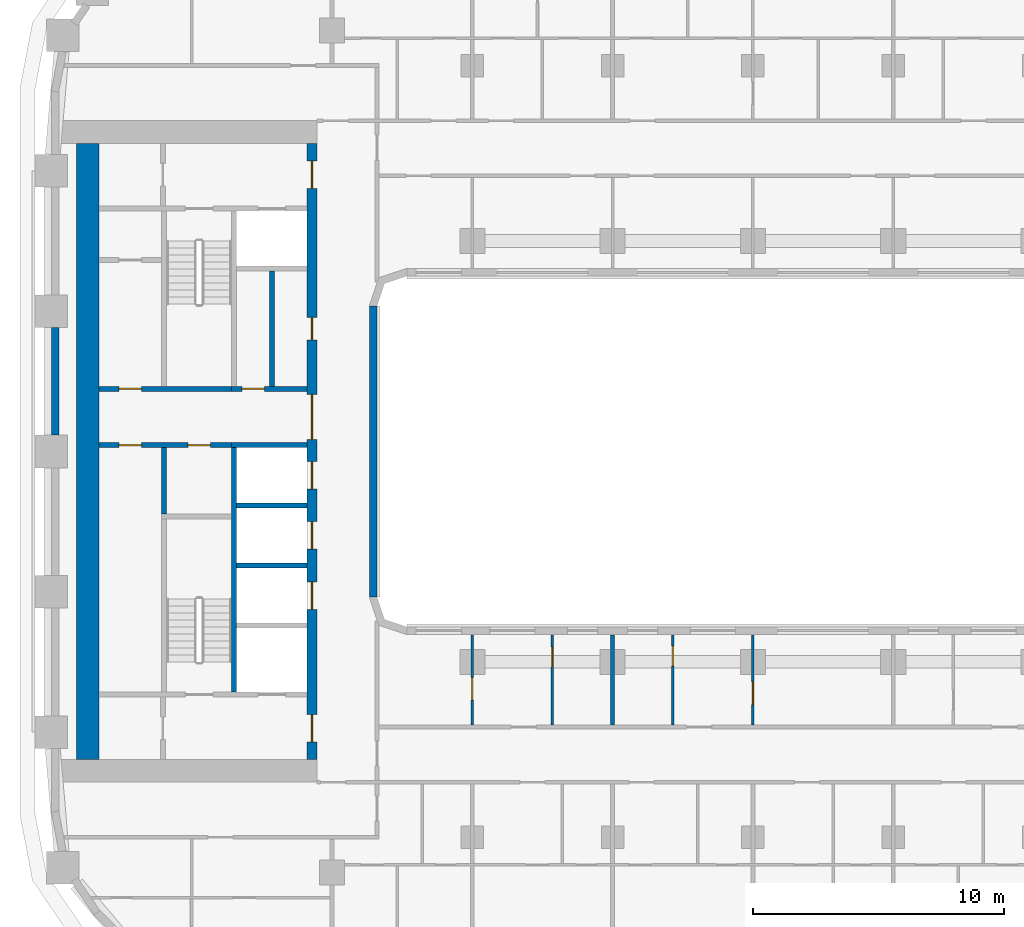
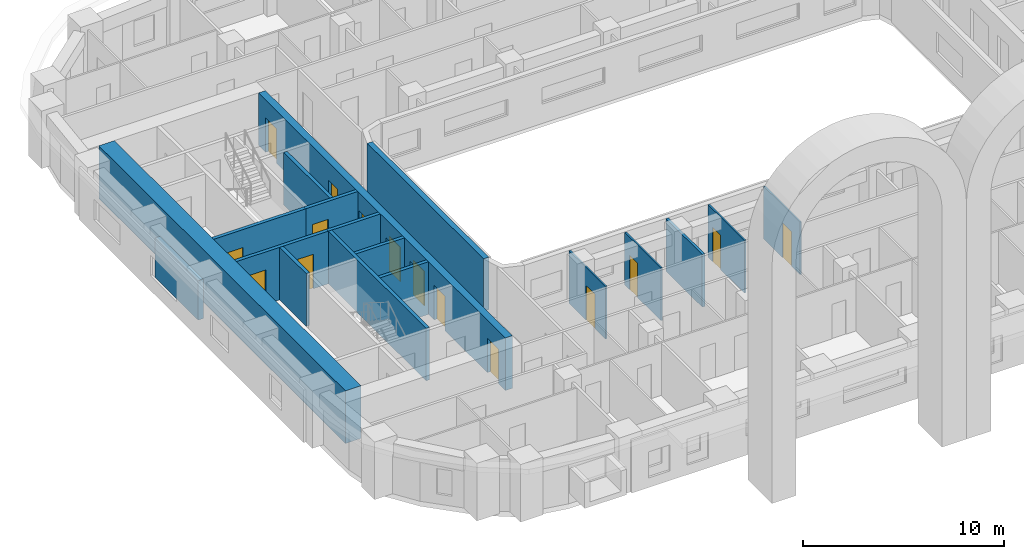
# One storey, part 4 of 19: 18 walls, 15 doors, 15 openings.
"""IFC4 building model written with IfcOpenShell, lengths in metres."""

import ifcopenshell
import ifcopenshell.guid

model = None  # the IFC model being written
_history = None  # IfcOwnerHistory: only IFC2X3 demands one
_inside = {}  # id of a spatial element -> (the spatial element, [elements in it])
_under = {}  # id of a project, library or spatial element -> (it, [spatial elements below it])
_declared = {}  # id of a project -> (the project, [libraries it declares])
_typed = {}  # id of a type object -> (the type object, [elements of that type])
_made_of = {}  # id of a material, layer set ... -> (it, [elements and type objects made of it])


def new_model(schema):
    """Start an empty IFC model of exactly this schema.

    Asked for "IFC4X3", IfcOpenShell would pick the latest addendum, in which some entities
    have other attributes; the version numbers below select the first issue.
    IFC2X3 requires an IfcOwnerHistory on every rooted entity: one is made here for all.
    """
    global model, _history
    if schema == "IFC4X3":
        model = ifcopenshell.file(schema_version=(4, 3, 0, 0))
    else:
        model = ifcopenshell.file(schema=schema)
    _inside.clear()
    _under.clear()
    _declared.clear()
    _typed.clear()
    _made_of.clear()
    _history = None
    if model.schema == "IFC2X3":
        org = make("IfcOrganization", Name="unknown")
        user = make(
            "IfcPersonAndOrganization",
            ThePerson=make("IfcPerson", FamilyName="unknown"),
            TheOrganization=org,
        )
        app = make(
            "IfcApplication",
            ApplicationDeveloper=org,
            Version="unknown",
            ApplicationFullName="unknown",
            ApplicationIdentifier="unknown",
        )
        _history = make(
            "IfcOwnerHistory",
            OwningUser=user,
            OwningApplication=app,
            ChangeAction="ADDED",
            CreationDate=0,
        )
    return model


def make(cls, **values):
    """One entity of the class cls with the attributes given. An attribute that is None is left unset."""
    return model.create_entity(
        cls, **{name: value for name, value in values.items() if value is not None}
    )


def rooted(cls, **values):
    """An entity with a GlobalId (a new one), such as an element, a storey or a relation."""
    return make(cls, GlobalId=ifcopenshell.guid.new(), OwnerHistory=_history, **values)


def si_unit(unit_type, name, prefix=None):
    """IfcSIUnit, for example si_unit("LENGTHUNIT", "METRE", prefix="MILLI")."""
    return make("IfcSIUnit", UnitType=unit_type, Prefix=prefix, Name=name)


def assignment(units):
    """IfcUnitAssignment: the units of a project."""
    return None if units is None else make("IfcUnitAssignment", Units=units)


def point(xyz):
    """IfcCartesianPoint."""
    return None if xyz is None else make("IfcCartesianPoint", Coordinates=xyz)


def direction(xyz):
    """IfcDirection."""
    return None if xyz is None else make("IfcDirection", DirectionRatios=xyz)


def frame(location, z_axis=None, x_axis=None):
    """IfcAxis2Placement3D, a coordinate frame: its origin and axes. An axis left out is left unset."""
    return make(
        "IfcAxis2Placement3D",
        Location=point(location),
        Axis=direction(z_axis),
        RefDirection=direction(x_axis),
    )


def frame_2d(location, x_axis=None):
    """IfcAxis2Placement2D, a coordinate frame in the plane: its origin and x axis."""
    return make(
        "IfcAxis2Placement2D", Location=point(location), RefDirection=direction(x_axis)
    )


def origin():
    """The frame at (0, 0, 0) with its axes left unset."""
    return frame((0.0, 0.0, 0.0))


def place(relative_to, where):
    """IfcLocalPlacement: puts the frame where relative to a parent placement (None: the world)."""
    return make(
        "IfcLocalPlacement", PlacementRelTo=relative_to, RelativePlacement=where
    )


def context(
    kind, dimensions, precision=None, world=None, true_north=None, identifier=None
):
    """IfcGeometricRepresentationContext, for example the 3D "Model" context."""
    return make(
        "IfcGeometricRepresentationContext",
        ContextIdentifier=identifier,
        ContextType=kind,
        CoordinateSpaceDimension=dimensions,
        Precision=precision,
        WorldCoordinateSystem=world,
        TrueNorth=true_north,
    )


def subcontext(parent, identifier, kind, view, scale=None):
    """IfcGeometricRepresentationSubContext, for example "Body" below "Model"."""
    return make(
        "IfcGeometricRepresentationSubContext",
        ContextIdentifier=identifier,
        ContextType=kind,
        ParentContext=parent,
        TargetScale=scale,
        TargetView=view,
    )


def project(units=None, contexts=None):
    """IfcProject with its units and contexts."""
    return rooted(
        "IfcProject",
        Name="project",
        RepresentationContexts=contexts,
        UnitsInContext=assignment(units),
    )


def spatial(cls, under=None, at=None, **own):
    """A site, building, storey or space (cls), placed at a placement, below another one or the project."""
    s = rooted(cls, ObjectPlacement=at, **own)
    if under is not None:
        _under.setdefault(under.id(), (under, []))[1].append(s)
    return s


def profile(cls, at=None, kind="AREA", **sizes):
    """A parametric profile (cls). Its sizes go by their IFC names, for example OverallWidth=200.0."""
    return make(cls, ProfileType=kind, Position=at, **sizes)


def rectangle(**sizes):
    """IfcRectangleProfileDef."""
    return profile("IfcRectangleProfileDef", **sizes)


def extrude(swept, where, along, depth):
    """IfcExtrudedAreaSolid: the profile swept, set in the frame where, extruded along a direction by depth."""
    return make(
        "IfcExtrudedAreaSolid",
        SweptArea=swept,
        Position=where,
        ExtrudedDirection=direction(along),
        Depth=depth,
    )


def shape(context_of_items, identifier, shape_type, items):
    """IfcShapeRepresentation: the items that make up one representation, for example the "Body"."""
    return make(
        "IfcShapeRepresentation",
        ContextOfItems=context_of_items,
        RepresentationIdentifier=identifier,
        RepresentationType=shape_type,
        Items=items,
    )


def material(Name=None, Category=None):
    """IfcMaterial."""
    return make("IfcMaterial", Name=Name, Category=Category)


def layer(
    of_material, thickness, ventilated=None, Name=None, Category=None, Priority=None
):
    """IfcMaterialLayer: one layer of a wall or slab, of a material (None: an air gap)."""
    return make(
        "IfcMaterialLayer",
        Material=of_material,
        LayerThickness=thickness,
        IsVentilated=ventilated,
        Name=Name,
        Category=Category,
        Priority=Priority,
    )


def layer_set(layers, Name=None):
    """IfcMaterialLayerSet."""
    return make("IfcMaterialLayerSet", MaterialLayers=layers, LayerSetName=Name)


def made_of(thing, what):
    """Note that an element or type object is made of a material, layer set ...; save() writes the relation."""
    if what is not None:
        _made_of.setdefault(what.id(), (what, []))[1].append(thing)
    return thing


def type_object(cls, material=None, **own):
    """A type object (cls), such as IfcWallType, which elements share."""
    return made_of(rooted(cls, **own), material)


def element(
    cls,
    number,
    at=None,
    inside=None,
    cuts=None,
    type_object=None,
    material=None,
    context=None,
    identifier="Body",
    shape_type=None,
    held_by="IfcProductDefinitionShape",
    body=None,
    shapes=None,
    **own,
):
    """One element of the class cls, such as IfcWall. Its Tag is "e" and its number.

    at: its placement. inside: the storey or other place that contains it. cuts: it is an
    opening in that element (IfcRelVoidsElement). A single representation is given by context,
    identifier, shape_type and body (its items); several are given by shapes. held_by: the class
    of the entity that holds the representations. save() writes the other relations.
    """
    e = rooted(cls, Tag="e%d" % number, ObjectPlacement=at, **own)
    if body is not None:
        shapes = [shape(context, identifier, shape_type, body)]
    if shapes is not None:
        e.Representation = make(held_by, Representations=shapes)
    if inside is not None:
        _inside.setdefault(inside.id(), (inside, []))[1].append(e)
    if cuts is not None:
        rooted(
            "IfcRelVoidsElement", RelatingBuildingElement=cuts, RelatedOpeningElement=e
        )
    if type_object is not None:
        _typed.setdefault(type_object.id(), (type_object, []))[1].append(e)
    return made_of(e, material)


def fill(opening, filler):
    """IfcRelFillsElement: the door or window that sits in an opening."""
    return rooted(
        "IfcRelFillsElement",
        RelatingOpeningElement=opening,
        RelatedBuildingElement=filler,
    )


def aggregate(whole, parts):
    """IfcRelAggregates: a whole, such as a stair, and the parts it consists of."""
    return rooted("IfcRelAggregates", RelatingObject=whole, RelatedObjects=parts)


def save(model, path):
    """Write the relations noted so far, then the file.

    IfcRelAggregates (storeys below a building ...), IfcRelContainedInSpatialStructure (elements
    in a storey), IfcRelDefinesByType, IfcRelAssociatesMaterial and IfcRelDeclares: one each for
    every whole, place, type object, material and project.
    """
    for whole, parts in _under.values():
        aggregate(whole, parts)
    for where, things in _inside.values():
        rooted(
            "IfcRelContainedInSpatialStructure",
            RelatedElements=things,
            RelatingStructure=where,
        )
    for kind, things in _typed.values():
        rooted("IfcRelDefinesByType", RelatedObjects=things, RelatingType=kind)
    for what, things in _made_of.values():
        rooted("IfcRelAssociatesMaterial", RelatedObjects=things, RelatingMaterial=what)
    for by, libraries in _declared.values():
        rooted("IfcRelDeclares", RelatingContext=by, RelatedDefinitions=libraries)
    model.write(path)


model = new_model("IFC4")

# Units and contexts
model_context = context("Model", 3, precision=1e-05, world=origin(), true_north=direction((0.0, 1.0)))
body_context = subcontext(model_context, "Body", "Model", "MODEL_VIEW")
ifc_project = project(units=[si_unit("LENGTHUNIT", "METRE"), si_unit("AREAUNIT", "SQUARE_METRE"), si_unit("VOLUMEUNIT", "CUBIC_METRE"), si_unit("PLANEANGLEUNIT", "RADIAN"), si_unit("MASSUNIT", "GRAM", prefix="KILO")], contexts=[model_context])

# Site, building, storey
site_placement = place(None, origin())
site = spatial("IfcSite", under=ifc_project, at=site_placement, CompositionType="ELEMENT")
building_placement = place(site_placement, origin())
building = spatial("IfcBuilding", under=site, at=building_placement, Name="Kiln Ring Residences", CompositionType="ELEMENT")
storey_placement = place(building_placement, frame((0.0, 0.0, 104.300048828125)))
storey = spatial("IfcBuildingStorey", under=building, at=storey_placement, Name="L26", CompositionType="ELEMENT", Elevation=104.300048828125)

# Wall
ifc_material_1 = material(Name="Gypsum board on steel studs", Category="steel")
ifc_layer_1 = layer(ifc_material_1, 0.199951171875)
ifc_layer_set_1 = layer_set([ifc_layer_1], Name="CORE-PARTITION-200")
wall_type_1 = type_object("IfcWallType", Name="CORE-PARTITION-200", PredefinedType="PARTITIONING", material=ifc_layer_set_1)
wall_1_placement = place(storey_placement, frame((-23.5, -2.5, 0.0), z_axis=(0.0, 0.0, 1.0), x_axis=(0.0, 1.0, 0.0)))
element("IfcWall", 1, at=wall_1_placement, inside=storey, type_object=wall_type_1, Name="Core partition west L26 1", PredefinedType="PARTITIONING", context=body_context, shape_type="SweptSolid", body=[
    extrude(rectangle(XDim=2.64990234375, YDim=0.199951171875, at=frame_2d((1.324951171875, 0.0))), origin(), (0.0, 0.0, 1.0), 3.199951171875),
])

# Wall, openings, doors
wall_2_placement = place(storey_placement, frame((-20.800048828125, 0.25, 0.0), z_axis=(0.0, 0.0, 1.0), x_axis=(-1.0, 0.0, 0.0)))
wall_2 = element("IfcWall", 2, at=wall_2_placement, inside=storey, type_object=wall_type_1, Name="Core partition west L26 2", PredefinedType="PARTITIONING", context=body_context, shape_type="SweptSolid", body=[
    extrude(rectangle(XDim=5.300048828125, YDim=0.199951171875, at=frame_2d((2.64990234375, 0.0))), origin(), (0.0, 0.0, 1.0), 3.199951171875),
])
opening_1_placement = place(wall_2_placement, frame((0.85009765625, 0.0, 0.0)))
opening_1 = element("IfcOpeningElement", 3, at=opening_1_placement, cuts=wall_2, Name="Opening L26-CW15", PredefinedType="OPENING", context=body_context, shape_type="SweptSolid", body=[
    extrude(rectangle(XDim=0.89990234375, YDim=2.10009765625, at=frame_2d((0.449951171875, 1.050048828125))), frame((0.0, 0.10986328125, 0.0), z_axis=(0.0, -1.0, 0.0), x_axis=(1.0, 0.0, 0.0)), (0.0, 0.0, 1.0), 0.219970703125),
])
opening_2_placement = place(wall_2_placement, frame((3.60009765625, 0.0, 0.0)))
opening_2 = element("IfcOpeningElement", 4, at=opening_2_placement, cuts=wall_2, Name="Opening L26-CW16", PredefinedType="OPENING", context=body_context, shape_type="SweptSolid", body=[
    extrude(rectangle(XDim=0.89990234375, YDim=2.10009765625, at=frame_2d((0.449951171875, 1.050048828125))), frame((0.0, 0.10986328125, 0.0), z_axis=(0.0, -1.0, 0.0), x_axis=(1.0, 0.0, 0.0)), (0.0, 0.0, 1.0), 0.219970703125),
])
ifc_material_2 = material(Name="Steel door leaf", Category="steel")
door_type_1 = type_object("IfcDoorType", Name="CORE-DOOR-ROOM", OperationType="SINGLE_SWING_LEFT", PredefinedType="DOOR", material=ifc_material_2)
door_1_placement = place(opening_1_placement, origin())
door_1 = element("IfcDoor", 5, at=door_1_placement, inside=storey, type_object=door_type_1, Name="Refuse and recycling room L26-CW15", OperationType="SINGLE_SWING_LEFT", OverallHeight=2.10009765625, OverallWidth=0.89990234375, PredefinedType="DOOR", context=body_context, shape_type="SweptSolid", body=[
    extrude(rectangle(XDim=0.89990234375, YDim=2.10009765625, at=frame_2d((0.449951171875, 1.050048828125))), frame((0.0, 0.02490234375, 0.0), z_axis=(0.0, -1.0, 0.0), x_axis=(1.0, 0.0, 0.0)), (0.0, 0.0, 1.0), 0.050048828125),
])
fill(opening_1, door_1)
door_2_placement = place(opening_2_placement, origin())
door_2 = element("IfcDoor", 6, at=door_2_placement, inside=storey, type_object=door_type_1, Name="Water tank room L26-CW16", OperationType="SINGLE_SWING_RIGHT", OverallHeight=2.10009765625, OverallWidth=0.89990234375, PredefinedType="DOOR", context=body_context, shape_type="SweptSolid", body=[
    extrude(rectangle(XDim=0.89990234375, YDim=2.10009765625, at=frame_2d((0.449951171875, 1.050048828125))), frame((0.0, 0.02490234375, 0.0), z_axis=(0.0, -1.0, 0.0), x_axis=(1.0, 0.0, 0.0)), (0.0, 0.0, 1.0), 0.050048828125),
])
fill(opening_2, door_2)

# Walls
wall_3_placement = place(storey_placement, frame((-19.199951171875, 2.60009765625, 0.0), z_axis=(0.0, 0.0, 1.0), x_axis=(0.0, 1.0, 0.0)))
element("IfcWall", 7, at=wall_3_placement, inside=storey, type_object=wall_type_1, Name="Core partition west L26 3", PredefinedType="PARTITIONING", context=body_context, shape_type="SweptSolid", body=[
    extrude(rectangle(XDim=4.599853515625, YDim=0.199951171875, at=frame_2d((2.2998046875, 0.0))), origin(), (0.0, 0.0, 1.0), 3.199951171875),
])
ifc_material_3 = material(Name="Gypsum shaft wall system")
ifc_layer_2 = layer(ifc_material_3, 0.199951171875)
ifc_layer_set_2 = layer_set([ifc_layer_2], Name="CORE-SHAFT-WALL-200")
wall_type_2 = type_object("IfcWallType", Name="CORE-SHAFT-WALL-200", PredefinedType="PARTITIONING", material=ifc_layer_set_2)
for number, where, z_axis, x_axis, name in (
    (8, (-17.800048828125, -4.550048828125, 0.0), (0.0, 0.0, 1.0), (-1.0, 0.0, 0.0), "Core partition west L26 8"),
    (9, (-17.800048828125, -2.14990234375, 0.0), (0.0, 0.0, 1.0), (-1.0, 0.0, 0.0), "Core partition west L26 9"),
):
    element("IfcWall", number, at=place(storey_placement, frame(where, z_axis=z_axis, x_axis=x_axis)), inside=storey, type_object=wall_type_2, Name=name, PredefinedType="PARTITIONING", context=body_context, shape_type="SweptSolid", body=[
        extrude(rectangle(XDim=2.800048828125, YDim=0.199951171875, at=frame_2d((1.39990234375, 0.0))), origin(), (0.0, 0.0, 1.0), 3.199951171875),
    ])
wall_4_placement = place(storey_placement, frame((-17.800048828125, 0.25, 0.0), z_axis=(0.0, 0.0, 1.0), x_axis=(-1.0, 0.0, 0.0)))
element("IfcWall", 10, at=wall_4_placement, inside=storey, type_object=wall_type_2, Name="Core partition west L26 10", PredefinedType="PARTITIONING", context=body_context, shape_type="SweptSolid", body=[
    extrude(rectangle(XDim=3.0, YDim=0.199951171875, at=frame_2d((1.5, 0.0))), origin(), (0.0, 0.0, 1.0), 3.199951171875),
])

# Wall, opening, door
wall_5_placement = place(storey_placement, frame((-17.800048828125, 2.5, 0.0), z_axis=(0.0, 0.0, 1.0), x_axis=(-1.0, 0.0, 0.0)))
wall_5 = element("IfcWall", 11, at=wall_5_placement, inside=storey, type_object=wall_type_2, Name="Core partition west L26 11", PredefinedType="PARTITIONING", context=body_context, shape_type="SweptSolid", body=[
    extrude(rectangle(XDim=3.0, YDim=0.199951171875, at=frame_2d((1.5, 0.0))), origin(), (0.0, 0.0, 1.0), 3.199951171875),
])
opening_3_placement = place(wall_5_placement, frame((1.699951171875, 0.0, 0.0)))
opening_3 = element("IfcOpeningElement", 12, at=opening_3_placement, cuts=wall_5, Name="Opening L26-CW06", PredefinedType="OPENING", context=body_context, shape_type="SweptSolid", body=[
    extrude(rectangle(XDim=0.89990234375, YDim=2.10009765625, at=frame_2d((0.449951171875, 1.050048828125))), frame((0.0, 0.10986328125, 0.0), z_axis=(0.0, -1.0, 0.0), x_axis=(1.0, 0.0, 0.0)), (0.0, 0.0, 1.0), 0.219970703125),
])
door_3_placement = place(opening_3_placement, origin())
door_3 = element("IfcDoor", 13, at=door_3_placement, inside=storey, type_object=door_type_1, Name="Service store L26-CW06", OperationType="SINGLE_SWING_LEFT", OverallHeight=2.10009765625, OverallWidth=0.89990234375, PredefinedType="DOOR", context=body_context, shape_type="SweptSolid", body=[
    extrude(rectangle(XDim=0.89990234375, YDim=2.10009765625, at=frame_2d((0.449951171875, 1.050048828125))), frame((0.0, 0.02490234375, 0.0), z_axis=(0.0, -1.0, 0.0), x_axis=(1.0, 0.0, 0.0)), (0.0, 0.0, 1.0), 0.050048828125),
])
fill(opening_3, door_3)

# Wall
ifc_material_4 = material(Name="Concrete C40/50", Category="concrete")
ifc_layer_3 = layer(ifc_material_4, 0.199951171875)
ifc_layer_set_3 = layer_set([ifc_layer_3], Name="CORE-WALL-RC200")
wall_type_3 = type_object("IfcWallType", Name="CORE-WALL-RC200", PredefinedType="SHEAR", material=ifc_layer_set_3)
wall_6_placement = place(storey_placement, frame((-20.699951171875, -9.60009765625, 0.0), z_axis=(0.0, 0.0, 1.0), x_axis=(0.0, 1.0, 0.0)))
element("IfcWall", 14, at=wall_6_placement, inside=storey, type_object=wall_type_3, Name="Core wall west L26 2", PredefinedType="SHEAR", context=body_context, shape_type="SweptSolid", body=[
    extrude(rectangle(XDim=9.75, YDim=0.199951171875, at=frame_2d((4.875, 0.0))), origin(), (0.0, 0.0, 1.0), 3.199951171875),
])

# Wall, opening, door
wall_7_placement = place(storey_placement, frame((-20.800048828125, 2.5, 0.0), z_axis=(0.0, 0.0, 1.0), x_axis=(-1.0, 0.0, 0.0)))
wall_7 = element("IfcWall", 15, at=wall_7_placement, inside=storey, type_object=wall_type_3, Name="Core wall west L26 3", PredefinedType="SHEAR", context=body_context, shape_type="SweptSolid", body=[
    extrude(rectangle(XDim=5.300048828125, YDim=0.199951171875, at=frame_2d((2.64990234375, 0.0))), origin(), (0.0, 0.0, 1.0), 3.199951171875),
])
opening_4_placement = place(wall_7_placement, frame((3.60009765625, 0.0, 0.0)))
opening_4 = element("IfcOpeningElement", 16, at=opening_4_placement, cuts=wall_7, Name="Opening L26-CW18", PredefinedType="OPENING", context=body_context, shape_type="SweptSolid", body=[
    extrude(rectangle(XDim=0.89990234375, YDim=2.10009765625, at=frame_2d((0.449951171875, 1.050048828125))), frame((0.0, 0.10986328125, 0.0), z_axis=(0.0, -1.0, 0.0), x_axis=(1.0, 0.0, 0.0)), (0.0, 0.0, 1.0), 0.219970703125),
])
door_4_placement = place(opening_4_placement, origin())
door_4 = element("IfcDoor", 17, at=door_4_placement, inside=storey, type_object=door_type_1, Name="Electrical plant room L26-CW18", OperationType="SINGLE_SWING_LEFT", OverallHeight=2.10009765625, OverallWidth=0.89990234375, PredefinedType="DOOR", context=body_context, shape_type="SweptSolid", body=[
    extrude(rectangle(XDim=0.89990234375, YDim=2.10009765625, at=frame_2d((0.449951171875, 1.050048828125))), frame((0.0, 0.02490234375, 0.0), z_axis=(0.0, -1.0, 0.0), x_axis=(1.0, 0.0, 0.0)), (0.0, 0.0, 1.0), 0.050048828125),
])
fill(opening_4, door_4)

# Wall, openings, doors
ifc_material_5 = material(Name="Concrete C60/75", Category="concrete")
ifc_layer_4 = layer(ifc_material_5, 0.39990234375)
ifc_layer_set_4 = layer_set([ifc_layer_4], Name="CORE-WALL-RC400")
wall_type_4 = type_object("IfcWallType", Name="CORE-WALL-RC400", PredefinedType="SHEAR", material=ifc_layer_set_4)
wall_8_placement = place(storey_placement, frame((-17.60009765625, -12.300048828125, 0.0), z_axis=(0.0, 0.0, 1.0), x_axis=(0.0, 1.0, 0.0)))
wall_8 = element("IfcWall", 18, at=wall_8_placement, inside=storey, type_object=wall_type_4, Name="Core wall west L26 6", PredefinedType="SHEAR", context=body_context, shape_type="SweptSolid", body=[
    extrude(rectangle(XDim=24.60009765625, YDim=0.39990234375, at=frame_2d((12.300048828125, 0.0))), origin(), (0.0, 0.0, 1.0), 3.199951171875),
])
opening_5_placement = place(wall_8_placement, frame((6.0, 0.0, 0.0)))
opening_5 = element("IfcOpeningElement", 19, at=opening_5_placement, cuts=wall_8, Name="Opening L26-CW02", PredefinedType="OPENING", context=body_context, shape_type="SweptSolid", body=[
    extrude(rectangle(XDim=1.10009765625, YDim=2.10009765625, at=frame_2d((0.550048828125, 1.050048828125))), frame((0.0, 0.2099609375, 0.0), z_axis=(0.0, -1.0, 0.0), x_axis=(1.0, 0.0, 0.0)), (0.0, 0.0, 1.0), 0.419921875),
])
opening_6_placement = place(wall_8_placement, frame((8.39990234375, 0.0, 0.0)))
opening_6 = element("IfcOpeningElement", 20, at=opening_6_placement, cuts=wall_8, Name="Opening L26-CW03", PredefinedType="OPENING", context=body_context, shape_type="SweptSolid", body=[
    extrude(rectangle(XDim=1.10009765625, YDim=2.10009765625, at=frame_2d((0.550048828125, 1.050048828125))), frame((0.0, 0.2099609375, 0.0), z_axis=(0.0, -1.0, 0.0), x_axis=(1.0, 0.0, 0.0)), (0.0, 0.0, 1.0), 0.419921875),
])
opening_7_placement = place(wall_8_placement, frame((10.800048828125, 0.0, 0.0)))
opening_7 = element("IfcOpeningElement", 21, at=opening_7_placement, cuts=wall_8, Name="Opening L26-CW04", PredefinedType="OPENING", context=body_context, shape_type="SweptSolid", body=[
    extrude(rectangle(XDim=1.10009765625, YDim=2.10009765625, at=frame_2d((0.550048828125, 1.050048828125))), frame((0.0, 0.2099609375, 0.0), z_axis=(0.0, -1.0, 0.0), x_axis=(1.0, 0.0, 0.0)), (0.0, 0.0, 1.0), 0.419921875),
])
opening_8_placement = place(wall_8_placement, frame((16.75, 0.0, 0.0)))
opening_8 = element("IfcOpeningElement", 22, at=opening_8_placement, cuts=wall_8, Name="Opening L26-CW05", PredefinedType="OPENING", context=body_context, shape_type="SweptSolid", body=[
    extrude(rectangle(XDim=0.89990234375, YDim=2.10009765625, at=frame_2d((0.449951171875, 1.050048828125))), frame((0.0, 0.2099609375, 0.0), z_axis=(0.0, -1.0, 0.0), x_axis=(1.0, 0.0, 0.0)), (0.0, 0.0, 1.0), 0.419921875),
])
opening_9_placement = place(wall_8_placement, frame((22.800048828125, 0.0, 0.0)))
opening_9 = element("IfcOpeningElement", 23, at=opening_9_placement, cuts=wall_8, Name="Opening L26-CW08", PredefinedType="OPENING", context=body_context, shape_type="SweptSolid", body=[
    extrude(rectangle(XDim=1.10009765625, YDim=2.10009765625, at=frame_2d((0.550048828125, 1.050048828125))), frame((0.0, 0.2099609375, 0.0), z_axis=(0.0, -1.0, 0.0), x_axis=(1.0, 0.0, 0.0)), (0.0, 0.0, 1.0), 0.419921875),
])
opening_10_placement = place(wall_8_placement, frame((0.699951171875, 0.0, 0.0)))
opening_10 = element("IfcOpeningElement", 24, at=opening_10_placement, cuts=wall_8, Name="Opening L26-CW09", PredefinedType="OPENING", context=body_context, shape_type="SweptSolid", body=[
    extrude(rectangle(XDim=1.10009765625, YDim=2.10009765625, at=frame_2d((0.550048828125, 1.050048828125))), frame((0.0, 0.2099609375, 0.0), z_axis=(0.0, -1.0, 0.0), x_axis=(1.0, 0.0, 0.0)), (0.0, 0.0, 1.0), 0.419921875),
])
opening_11_placement = place(wall_8_placement, frame((12.77490234375, 0.0, 0.0)))
opening_11 = element("IfcOpeningElement", 25, at=opening_11_placement, cuts=wall_8, Name="Opening L26-CW14", PredefinedType="OPENING", context=body_context, shape_type="SweptSolid", body=[
    extrude(rectangle(XDim=1.800048828125, YDim=2.10009765625, at=frame_2d((0.89990234375, 1.050048828125))), frame((0.0, 0.2099609375, 0.0), z_axis=(0.0, -1.0, 0.0), x_axis=(1.0, 0.0, 0.0)), (0.0, 0.0, 1.0), 0.419921875),
])
ifc_material_6 = material(Name="Steel door leaf", Category="steel")
door_type_2 = type_object("IfcDoorType", Name="CORE-DOOR-LD", OperationType="DOUBLE_DOOR_SLIDING", PredefinedType="DOOR", material=ifc_material_6)
door_5_placement = place(opening_5_placement, origin())
door_5 = element("IfcDoor", 26, at=door_5_placement, inside=storey, type_object=door_type_2, Name="LD W-L1 L26-CW02", OperationType="DOUBLE_DOOR_SLIDING", OverallHeight=2.10009765625, OverallWidth=1.10009765625, PredefinedType="DOOR", context=body_context, shape_type="SweptSolid", body=[
    extrude(rectangle(XDim=1.10009765625, YDim=2.10009765625, at=frame_2d((0.550048828125, 1.050048828125))), frame((0.0, 0.02490234375, 0.0), z_axis=(0.0, -1.0, 0.0), x_axis=(1.0, 0.0, 0.0)), (0.0, 0.0, 1.0), 0.050048828125),
])
fill(opening_5, door_5)
door_6_placement = place(opening_6_placement, origin())
door_6 = element("IfcDoor", 27, at=door_6_placement, inside=storey, type_object=door_type_2, Name="LD W-L2 L26-CW03", OperationType="DOUBLE_DOOR_SLIDING", OverallHeight=2.10009765625, OverallWidth=1.10009765625, PredefinedType="DOOR", context=body_context, shape_type="SweptSolid", body=[
    extrude(rectangle(XDim=1.10009765625, YDim=2.10009765625, at=frame_2d((0.550048828125, 1.050048828125))), frame((0.0, 0.02490234375, 0.0), z_axis=(0.0, -1.0, 0.0), x_axis=(1.0, 0.0, 0.0)), (0.0, 0.0, 1.0), 0.050048828125),
])
fill(opening_6, door_6)
door_7_placement = place(opening_7_placement, origin())
door_7 = element("IfcDoor", 28, at=door_7_placement, inside=storey, type_object=door_type_2, Name="LD W-L3 L26-CW04", OperationType="DOUBLE_DOOR_SLIDING", OverallHeight=2.10009765625, OverallWidth=1.10009765625, PredefinedType="DOOR", context=body_context, shape_type="SweptSolid", body=[
    extrude(rectangle(XDim=1.10009765625, YDim=2.10009765625, at=frame_2d((0.550048828125, 1.050048828125))), frame((0.0, 0.02490234375, 0.0), z_axis=(0.0, -1.0, 0.0), x_axis=(1.0, 0.0, 0.0)), (0.0, 0.0, 1.0), 0.050048828125),
])
fill(opening_7, door_7)
ifc_material_7 = material(Name="Steel door leaf", Category="steel")
door_type_3 = type_object("IfcDoorType", Name="CORE-DOOR-LOBBY", OperationType="SINGLE_SWING_LEFT", PredefinedType="DOOR", material=ifc_material_7)
door_8_placement = place(opening_9_placement, origin())
door_8 = element("IfcDoor", 29, at=door_8_placement, inside=storey, type_object=door_type_3, Name="FFL L26-CW08", OperationType="SINGLE_SWING_LEFT", OverallHeight=2.10009765625, OverallWidth=1.10009765625, PredefinedType="DOOR", context=body_context, shape_type="SweptSolid", body=[
    extrude(rectangle(XDim=1.10009765625, YDim=2.10009765625, at=frame_2d((0.550048828125, 1.050048828125))), frame((0.0, 0.02490234375, 0.0), z_axis=(0.0, -1.0, 0.0), x_axis=(1.0, 0.0, 0.0)), (0.0, 0.0, 1.0), 0.050048828125),
])
fill(opening_9, door_8)
door_9_placement = place(opening_10_placement, origin())
door_9 = element("IfcDoor", 30, at=door_9_placement, inside=storey, type_object=door_type_3, Name="SVL L26-CW09", OperationType="SINGLE_SWING_RIGHT", OverallHeight=2.10009765625, OverallWidth=1.10009765625, PredefinedType="DOOR", context=body_context, shape_type="SweptSolid", body=[
    extrude(rectangle(XDim=1.10009765625, YDim=2.10009765625, at=frame_2d((0.550048828125, 1.050048828125))), frame((0.0, 0.02490234375, 0.0), z_axis=(0.0, -1.0, 0.0), x_axis=(1.0, 0.0, 0.0)), (0.0, 0.0, 1.0), 0.050048828125),
])
fill(opening_10, door_9)
ifc_material_8 = material(Name="Steel door leaf", Category="steel")
door_type_4 = type_object("IfcDoorType", Name="CORE-DOOR-PASS", OperationType="DOUBLE_DOOR_SINGLE_SWING", PredefinedType="DOOR", material=ifc_material_8)
door_10_placement = place(opening_11_placement, origin())
door_10 = element("IfcDoor", 31, at=door_10_placement, inside=storey, type_object=door_type_4, Name="Core passage L26-CW14", OperationType="DOUBLE_DOOR_SINGLE_SWING", OverallHeight=2.10009765625, OverallWidth=1.800048828125, PredefinedType="DOOR", context=body_context, shape_type="SweptSolid", body=[
    extrude(rectangle(XDim=1.800048828125, YDim=2.10009765625, at=frame_2d((0.89990234375, 1.050048828125))), frame((0.0, 0.02490234375, 0.0), z_axis=(0.0, -1.0, 0.0), x_axis=(1.0, 0.0, 0.0)), (0.0, 0.0, 1.0), 0.050048828125),
])
fill(opening_11, door_10)
door_11_placement = place(opening_8_placement, origin())
door_11 = element("IfcDoor", 32, at=door_11_placement, inside=storey, type_object=door_type_1, Name="Linen store L26-CW05", OperationType="SINGLE_SWING_LEFT", OverallHeight=2.10009765625, OverallWidth=0.89990234375, PredefinedType="DOOR", context=body_context, shape_type="SweptSolid", body=[
    extrude(rectangle(XDim=0.89990234375, YDim=2.10009765625, at=frame_2d((0.449951171875, 1.050048828125))), frame((0.0, 0.02490234375, 0.0), z_axis=(0.0, -1.0, 0.0), x_axis=(1.0, 0.0, 0.0)), (0.0, 0.0, 1.0), 0.050048828125),
])
fill(opening_8, door_11)

# Walls
ifc_material_9 = material(Name="Concrete C60/75", Category="concrete")
ifc_layer_5 = layer(ifc_material_9, 0.89990234375)
ifc_layer_set_5 = layer_set([ifc_layer_5], Name="CORE-WALL-RC900")
wall_type_5 = type_object("IfcWallType", Name="CORE-WALL-RC900", PredefinedType="SHEAR", material=ifc_layer_set_5)
wall_9_placement = place(storey_placement, frame((-26.550048828125, -12.300048828125, 0.0), z_axis=(0.0, 0.0, 1.0), x_axis=(0.0, 1.0, 0.0)))
element("IfcWall", 33, at=wall_9_placement, inside=storey, type_object=wall_type_5, Name="Core wall west L26 7", PredefinedType="SHEAR", context=body_context, shape_type="SweptSolid", body=[
    extrude(rectangle(XDim=24.60009765625, YDim=0.89990234375, at=frame_2d((12.300048828125, 0.0))), origin(), (0.0, 0.0, 1.0), 3.199951171875),
])
ifc_material_10 = material(Name="Brick masonry, dark clay brick", Category="masonry")
ifc_layer_6 = layer(ifc_material_10, 0.300048828125)
ifc_layer_set_6 = layer_set([ifc_layer_6], Name="EW-300 BRICK WALL")
wall_type_6 = type_object("IfcWallType", Name="EW-300 BRICK WALL", PredefinedType="SOLIDWALL", material=ifc_layer_set_6)
wall_10_placement = place(storey_placement, frame((-27.85009765625, 4.949951171875, 0.0), z_axis=(0.0, 0.0, 1.0), x_axis=(0.0, -1.0, 0.0)))
element("IfcWall", 34, at=wall_10_placement, inside=storey, type_object=wall_type_6, Name="Facade wall L26 43", PredefinedType="SOLIDWALL", context=body_context, shape_type="SweptSolid", body=[
    extrude(rectangle(XDim=4.300048828125, YDim=0.300048828125, at=frame_2d((2.14990234375, 0.0))), origin(), (0.0, 0.0, 1.0), 2.39990234375),
])
wall_11_placement = place(storey_placement, frame((-15.14990234375, -5.800048828125, 0.0), z_axis=(0.0, 0.0, 1.0), x_axis=(0.0, 1.0, 0.0)))
element("IfcWall", 35, at=wall_11_placement, inside=storey, type_object=wall_type_6, Name="Facade wall L26 49", PredefinedType="SOLIDWALL", context=body_context, shape_type="SweptSolid", body=[
    extrude(rectangle(XDim=11.60009765625, YDim=0.300048828125, at=frame_2d((5.800048828125, 0.0))), origin(), (0.0, 0.0, 1.0), 3.199951171875),
])

# Wall, opening, door
ifc_material_11 = material(Name="Gypsum board on steel studs", Category="steel")
ifc_layer_7 = layer(ifc_material_11, 0.10009765625)
ifc_layer_set_7 = layer_set([ifc_layer_7], Name="PARTITION-100")
wall_type_7 = type_object("IfcWallType", Name="PARTITION-100", PredefinedType="PARTITIONING", material=ifc_layer_set_7)
wall_12_placement = place(storey_placement, frame((-11.199951171875, -10.925048828125, 0.0), z_axis=(0.0, 0.0, 1.0), x_axis=(0.0, 1.0, 0.0)))
wall_12 = element("IfcWall", 36, at=wall_12_placement, inside=storey, type_object=wall_type_7, Name="Partition 027", PredefinedType="PARTITIONING", context=body_context, shape_type="SweptSolid", body=[
    extrude(rectangle(XDim=3.60498046875, YDim=0.10009765625, at=frame_2d((1.802490234375, 0.0))), origin(), (0.0, 0.0, 1.0), 3.199951171875),
])
opening_12_placement = place(wall_12_placement, frame((1.0048828125, 0.0, 0.0)))
opening_12 = element("IfcOpeningElement", 37, at=opening_12_placement, cuts=wall_12, Name="Opening L26-D045", PredefinedType="OPENING", context=body_context, shape_type="SweptSolid", body=[
    extrude(rectangle(XDim=0.89990234375, YDim=2.10009765625, at=frame_2d((0.449951171875, 1.050048828125))), frame((0.0, 0.06005859375, 0.0), z_axis=(0.0, -1.0, 0.0), x_axis=(1.0, 0.0, 0.0)), (0.0, 0.0, 1.0), 0.1201171875),
])
ifc_material_12 = material(Name="Timber door leaf", Category="wood")
door_type_5 = type_object("IfcDoorType", Name="FLAT-DOOR-900-PL", OperationType="SINGLE_SWING_LEFT", PredefinedType="DOOR", material=ifc_material_12)
door_12_placement = place(opening_12_placement, origin())
door_12 = element("IfcDoor", 38, at=door_12_placement, inside=storey, type_object=door_type_5, Name="Door L26-D045", OperationType="SINGLE_SWING_RIGHT", OverallHeight=2.10009765625, OverallWidth=0.89990234375, PredefinedType="DOOR", context=body_context, shape_type="SweptSolid", body=[
    extrude(rectangle(XDim=0.89990234375, YDim=2.10009765625, at=frame_2d((0.449951171875, 1.050048828125))), frame((0.0, 0.02490234375, 0.0), z_axis=(0.0, -1.0, 0.0), x_axis=(1.0, 0.0, 0.0)), (0.0, 0.0, 1.0), 0.050048828125),
])
fill(opening_12, door_12)

wall_13_placement = place(storey_placement, frame((-8.0, -10.925048828125, 0.0), z_axis=(0.0, 0.0, 1.0), x_axis=(0.0, 1.0, 0.0)))
wall_13 = element("IfcWall", 39, at=wall_13_placement, inside=storey, type_object=wall_type_7, Name="Partition 035", PredefinedType="PARTITIONING", context=body_context, shape_type="SweptSolid", body=[
    extrude(rectangle(XDim=3.60498046875, YDim=0.10009765625, at=frame_2d((1.802490234375, 0.0))), origin(), (0.0, 0.0, 1.0), 3.199951171875),
])
opening_13_placement = place(wall_13_placement, frame((2.325927734375, 0.0, 0.0)))
opening_13 = element("IfcOpeningElement", 40, at=opening_13_placement, cuts=wall_13, Name="Opening L26-D044", PredefinedType="OPENING", context=body_context, shape_type="SweptSolid", body=[
    extrude(rectangle(XDim=0.800048828125, YDim=2.10009765625, at=frame_2d((0.39990234375, 1.050048828125))), frame((0.0, 0.06005859375, 0.0), z_axis=(0.0, -1.0, 0.0), x_axis=(1.0, 0.0, 0.0)), (0.0, 0.0, 1.0), 0.1201171875),
])
ifc_material_13 = material(Name="Timber door leaf", Category="wood")
door_type_6 = type_object("IfcDoorType", Name="FLAT-DOOR-800-PL", OperationType="SINGLE_SWING_LEFT", PredefinedType="DOOR", material=ifc_material_13)
door_13_placement = place(opening_13_placement, origin())
door_13 = element("IfcDoor", 41, at=door_13_placement, inside=storey, type_object=door_type_6, Name="Door L26-D044", OperationType="SINGLE_SWING_RIGHT", OverallHeight=2.10009765625, OverallWidth=0.800048828125, PredefinedType="DOOR", context=body_context, shape_type="SweptSolid", body=[
    extrude(rectangle(XDim=0.800048828125, YDim=2.10009765625, at=frame_2d((0.39990234375, 1.050048828125))), frame((0.0, 0.02490234375, 0.0), z_axis=(0.0, -1.0, 0.0), x_axis=(1.0, 0.0, 0.0)), (0.0, 0.0, 1.0), 0.050048828125),
])
fill(opening_13, door_13)

wall_14_placement = place(storey_placement, frame((-3.199951171875, -10.925048828125, 0.0), z_axis=(0.0, 0.0, 1.0), x_axis=(0.0, 1.0, 0.0)))
wall_14 = element("IfcWall", 42, at=wall_14_placement, inside=storey, type_object=wall_type_7, Name="Partition 043", PredefinedType="PARTITIONING", context=body_context, shape_type="SweptSolid", body=[
    extrude(rectangle(XDim=3.60498046875, YDim=0.10009765625, at=frame_2d((1.802490234375, 0.0))), origin(), (0.0, 0.0, 1.0), 3.199951171875),
])
opening_14_placement = place(wall_14_placement, frame((2.35498046875, 0.0, 0.0)))
opening_14 = element("IfcOpeningElement", 43, at=opening_14_placement, cuts=wall_14, Name="Opening L26-D047", PredefinedType="OPENING", context=body_context, shape_type="SweptSolid", body=[
    extrude(rectangle(XDim=0.800048828125, YDim=2.10009765625, at=frame_2d((0.39990234375, 1.050048828125))), frame((0.0, 0.06005859375, 0.0), z_axis=(0.0, -1.0, 0.0), x_axis=(1.0, 0.0, 0.0)), (0.0, 0.0, 1.0), 0.1201171875),
])
door_14_placement = place(opening_14_placement, origin())
door_14 = element("IfcDoor", 44, at=door_14_placement, inside=storey, type_object=door_type_6, Name="Door L26-D047", OperationType="SINGLE_SWING_LEFT", OverallHeight=2.10009765625, OverallWidth=0.800048828125, PredefinedType="DOOR", context=body_context, shape_type="SweptSolid", body=[
    extrude(rectangle(XDim=0.800048828125, YDim=2.10009765625, at=frame_2d((0.39990234375, 1.050048828125))), frame((0.0, 0.02490234375, 0.0), z_axis=(0.0, -1.0, 0.0), x_axis=(1.0, 0.0, 0.0)), (0.0, 0.0, 1.0), 0.050048828125),
])
fill(opening_14, door_14)

wall_15_placement = place(storey_placement, frame((0.0, -10.925048828125, 0.0), z_axis=(0.0, 0.0, 1.0), x_axis=(0.0, 1.0, 0.0)))
wall_15 = element("IfcWall", 45, at=wall_15_placement, inside=storey, type_object=wall_type_7, Name="Partition 046", PredefinedType="PARTITIONING", context=body_context, shape_type="SweptSolid", body=[
    extrude(rectangle(XDim=3.60498046875, YDim=0.10009765625, at=frame_2d((1.802490234375, 0.0))), origin(), (0.0, 0.0, 1.0), 3.199951171875),
])
opening_15_placement = place(wall_15_placement, frame((0.825927734375, 0.0, 0.0)))
opening_15 = element("IfcOpeningElement", 46, at=opening_15_placement, cuts=wall_15, Name="Opening L26-D048", PredefinedType="OPENING", context=body_context, shape_type="SweptSolid", body=[
    extrude(rectangle(XDim=0.89990234375, YDim=2.10009765625, at=frame_2d((0.449951171875, 1.050048828125))), frame((0.0, 0.06005859375, 0.0), z_axis=(0.0, -1.0, 0.0), x_axis=(1.0, 0.0, 0.0)), (0.0, 0.0, 1.0), 0.1201171875),
])
door_15_placement = place(opening_15_placement, origin())
door_15 = element("IfcDoor", 47, at=door_15_placement, inside=storey, type_object=door_type_5, Name="Door L26-D048", OperationType="SINGLE_SWING_LEFT", OverallHeight=2.10009765625, OverallWidth=0.89990234375, PredefinedType="DOOR", context=body_context, shape_type="SweptSolid", body=[
    extrude(rectangle(XDim=0.89990234375, YDim=2.10009765625, at=frame_2d((0.449951171875, 1.050048828125))), frame((0.0, 0.02490234375, 0.0), z_axis=(0.0, -1.0, 0.0), x_axis=(1.0, 0.0, 0.0)), (0.0, 0.0, 1.0), 0.050048828125),
])
fill(opening_15, door_15)

# Wall
ifc_material_14 = material(Name="Brick masonry partition", Category="masonry")
ifc_layer_8 = layer(ifc_material_14, 0.14990234375)
ifc_layer_set_8 = layer_set([ifc_layer_8], Name="PARTITION-150-ei60")
wall_type_8 = type_object("IfcWallType", Name="PARTITION-150-ei60", PredefinedType="PARTITIONING", material=ifc_layer_set_8)
wall_16_placement = place(storey_placement, frame((-5.60009765625, -10.925048828125, 0.0), z_axis=(0.0, 0.0, 1.0), x_axis=(0.0, 1.0, 0.0)))
element("IfcWall", 48, at=wall_16_placement, inside=storey, type_object=wall_type_8, Name="Partition 040", PredefinedType="PARTITIONING", context=body_context, shape_type="SweptSolid", body=[
    extrude(rectangle(XDim=3.60498046875, YDim=0.14990234375, at=frame_2d((1.802490234375, 0.0))), origin(), (0.0, 0.0, 1.0), 3.199951171875),
])

save(model, "model.ifc")
